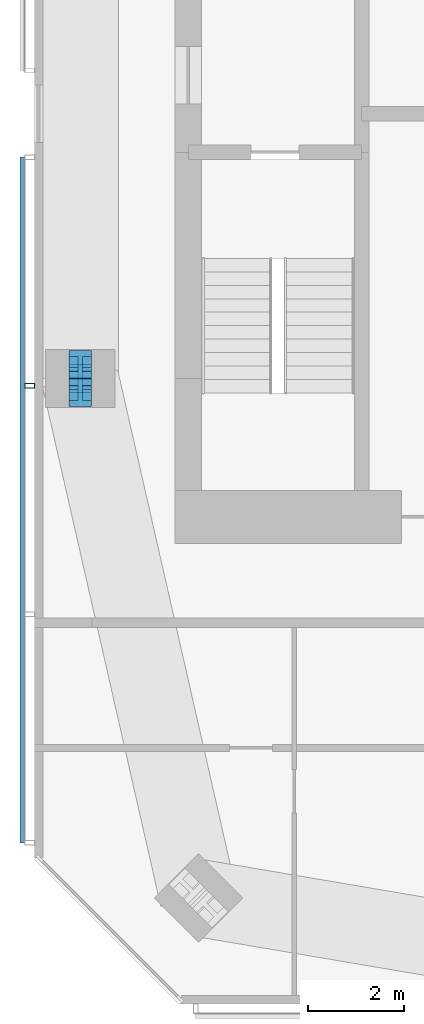
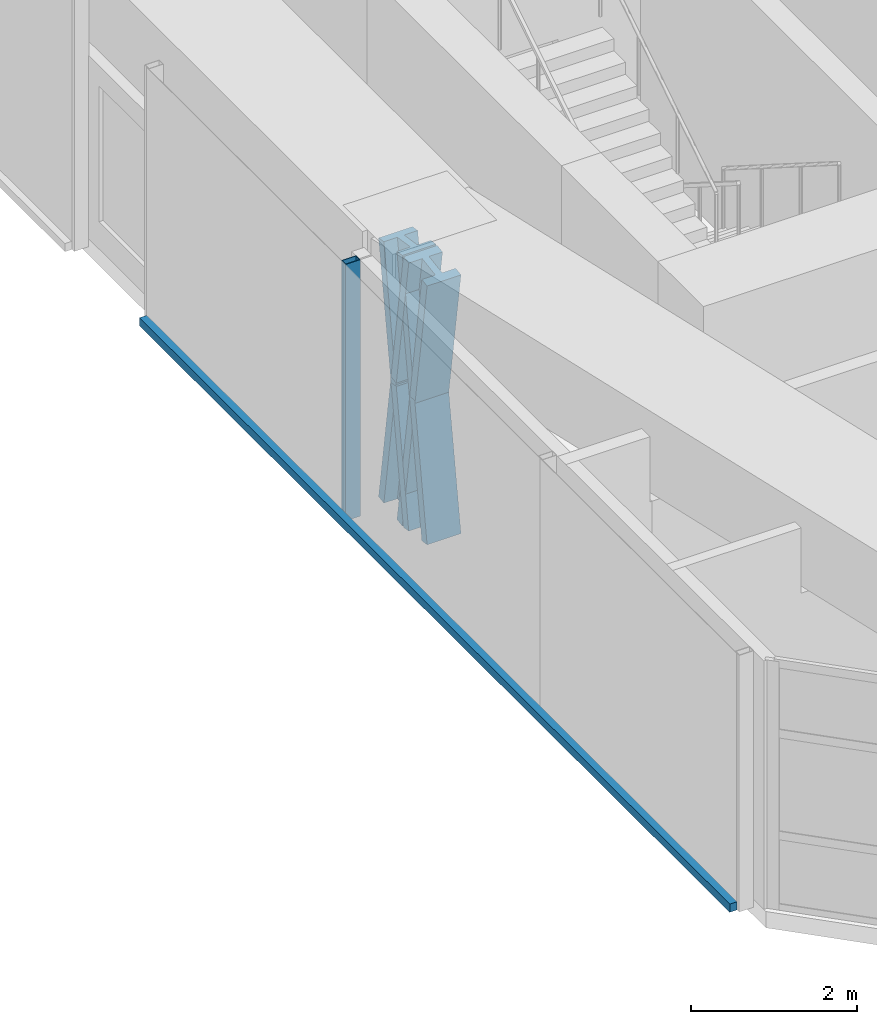
# One storey, part 4 of 20: 6 members, 1 element without a shape of its own.
"""IFC4 building model written with IfcOpenShell, lengths in metres."""

from ifc_helpers import new_model, si_unit, direction, frame, origin, origin_2d, place, context, subcontext, project, spatial, rectangle, hollow_rectangle, i_section, extrude, material, material_profile, profile_set, type_object, element, aggregate, save


model = new_model("IFC4")

# Units and contexts
model_context = context("Model", 3, precision=1e-05, world=origin(), true_north=direction((0.0, 1.0)))
body_context = subcontext(model_context, "Body", "Model", "MODEL_VIEW")
ifc_project = project(units=[si_unit("LENGTHUNIT", "METRE"), si_unit("AREAUNIT", "SQUARE_METRE"), si_unit("VOLUMEUNIT", "CUBIC_METRE"), si_unit("PLANEANGLEUNIT", "RADIAN"), si_unit("MASSUNIT", "GRAM", prefix="KILO")], contexts=[model_context])

# Site, building, storey
site_placement = place(None, origin())
site = spatial("IfcSite", under=ifc_project, at=site_placement, CompositionType="ELEMENT")
building_placement = place(site_placement, origin())
building = spatial("IfcBuilding", under=site, at=building_placement, Name="Jalousie Tower", CompositionType="ELEMENT")
storey_placement = place(building_placement, frame((0.0, 0.0, 259.949951171875)))
storey = spatial("IfcBuildingStorey", under=building, at=storey_placement, Name="L71", CompositionType="ELEMENT", Elevation=259.949951171875)

# Members
ifc_material_1 = material(Name="Steel ASTM A992 Grade 50", Category="steel")
ifc_material_profile_1 = material_profile(ifc_material_1, i_section(OverallWidth=0.472412109375, OverallDepth=0.5791015625, WebThickness=0.094970703125, FlangeThickness=0.1298828125, at=origin_2d()), Name="W14X808")
ifc_profile_set_1 = profile_set([ifc_material_profile_1], Name="Steel ASTM A992 Grade 50")
member_type_1 = type_object("IfcMemberType", Name="PERIMETER BRACE W14X808", PredefinedType="BRACE", material=ifc_profile_set_1)
for number, where, z_axis, x_axis, name in (
    (1, (17.75, 12.699951171875, -0.599853515625), (0.0, 0.152085080919, 0.988367405453), (-1.0, 0.0, 0.0), "Perimeter brace 14 L71 part 1"),
    (2, (17.75, 13.0, 1.35009765625), (0.0, 0.152085080919, 0.988367405453), (-1.0, 0.0, 0.0), "Perimeter brace 14 L71 part 2"),
    (3, (17.75, 13.300048828125, -0.599853515625), (0.0, -0.152085080919, 0.988367405453), (1.0, 0.0, 0.0), "Perimeter brace 14 L71 part 3"),
    (4, (17.75, 13.0, 1.35009765625), (0.0, -0.152085080919, 0.988367405453), (1.0, 0.0, 0.0), "Perimeter brace 14 L71 part 4"),
):
    element("IfcMember", number, at=place(storey_placement, frame(where, z_axis=z_axis, x_axis=x_axis)), inside=storey, type_object=member_type_1, Name=name, PredefinedType="BRACE", context=body_context, shape_type="SweptSolid", body=[
        extrude(i_section(OverallWidth=0.472412109375, OverallDepth=0.5791015625, WebThickness=0.094970703125, FlangeThickness=0.1298828125, at=origin_2d()), origin(), (0.0, 0.0, 1.0), 1.972900390625),
    ])

# Curtain wall, members
ifc_material_2 = material(Name="Perforated aluminium sheet", Category="aluminium")
curtain_wall_type = type_object("IfcCurtainWallType", Name="SOLAR SCREEN SS-2", PredefinedType="USERDEFINED", material=ifc_material_2)
curtain_wall_placement = place(storey_placement, origin())
curtain_wall = element("IfcCurtainWall", 5, at=curtain_wall_placement, inside=storey, type_object=curtain_wall_type, Name="Solar screen L71", ObjectType="SOLAR SCREEN SS-2", PredefinedType="USERDEFINED")
ifc_material_3 = material(Name="Steel ASTM A500 Grade C", Category="steel")
ifc_material_profile_2 = material_profile(ifc_material_3, hollow_rectangle(XDim=0.1015625, YDim=0.203125, WallThickness=0.0078125, at=origin_2d()), Name="HSS8X4X5/16")
ifc_profile_set_2 = profile_set([ifc_material_profile_2], Name="Steel ASTM A500 Grade C")
member_type_2 = type_object("IfcMemberType", Name="SOLAR SCREEN SS-2 MULLION", PredefinedType="MULLION", material=ifc_profile_set_2)
member_1_placement = place(storey_placement, frame((16.703369140625, 12.850341796875, -0.119873046875), z_axis=(0.0, 0.0, 1.0), x_axis=(0.0, -1.0, 0.0)))
member_1 = element("IfcMember", 6, at=member_1_placement, type_object=member_type_2, Name="SS2 post 2", PredefinedType="MULLION", context=body_context, shape_type="SweptSolid", body=[
    extrude(hollow_rectangle(XDim=0.1015625, YDim=0.203125, WallThickness=0.0078125, at=origin_2d()), origin(), (0.0, 0.0, 1.0), 3.780029296875),
])
ifc_material_4 = material(Name="Extruded aluminium screen rail", Category="aluminium")
ifc_material_profile_3 = material_profile(ifc_material_4, rectangle(XDim=0.1015625, YDim=0.1201171875, at=origin_2d()), Name="RAIL 102x120")
ifc_profile_set_3 = profile_set([ifc_material_profile_3], Name="Extruded aluminium screen rail")
member_type_3 = type_object("IfcMemberType", Name="SOLAR SCREEN SS-2 TRANSOM", PredefinedType="USERDEFINED", material=ifc_profile_set_3)
member_2_placement = place(storey_placement, frame((16.551025390625, 17.60009765625, -0.06005859375), z_axis=(0.0, -1.0, 0.0), x_axis=(1.0, 0.0, 0.0)))
member_2 = element("IfcMember", 7, at=member_2_placement, type_object=member_type_3, Name="SS2 rail", ObjectType="TRANSOM", PredefinedType="USERDEFINED", context=body_context, shape_type="SweptSolid", body=[
    extrude(rectangle(XDim=0.1015625, YDim=0.1201171875, at=origin_2d()), origin(), (0.0, 0.0, 1.0), 14.248779296875),
])
aggregate(curtain_wall, [member_1, member_2])

save(model, "model.ifc")
